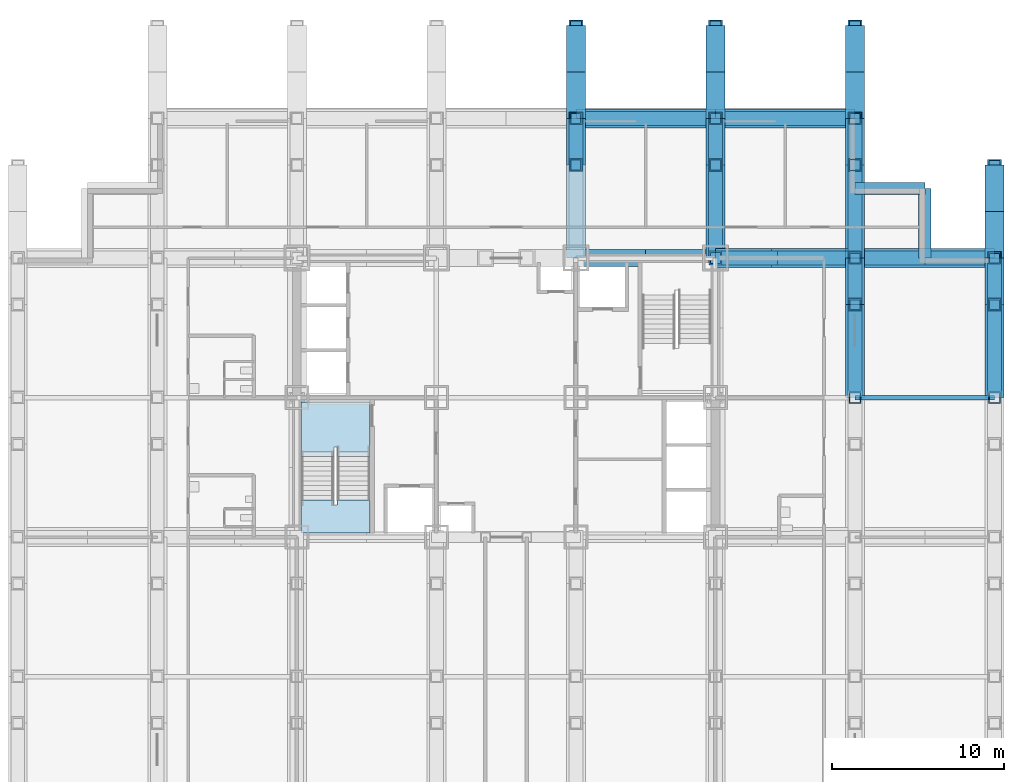
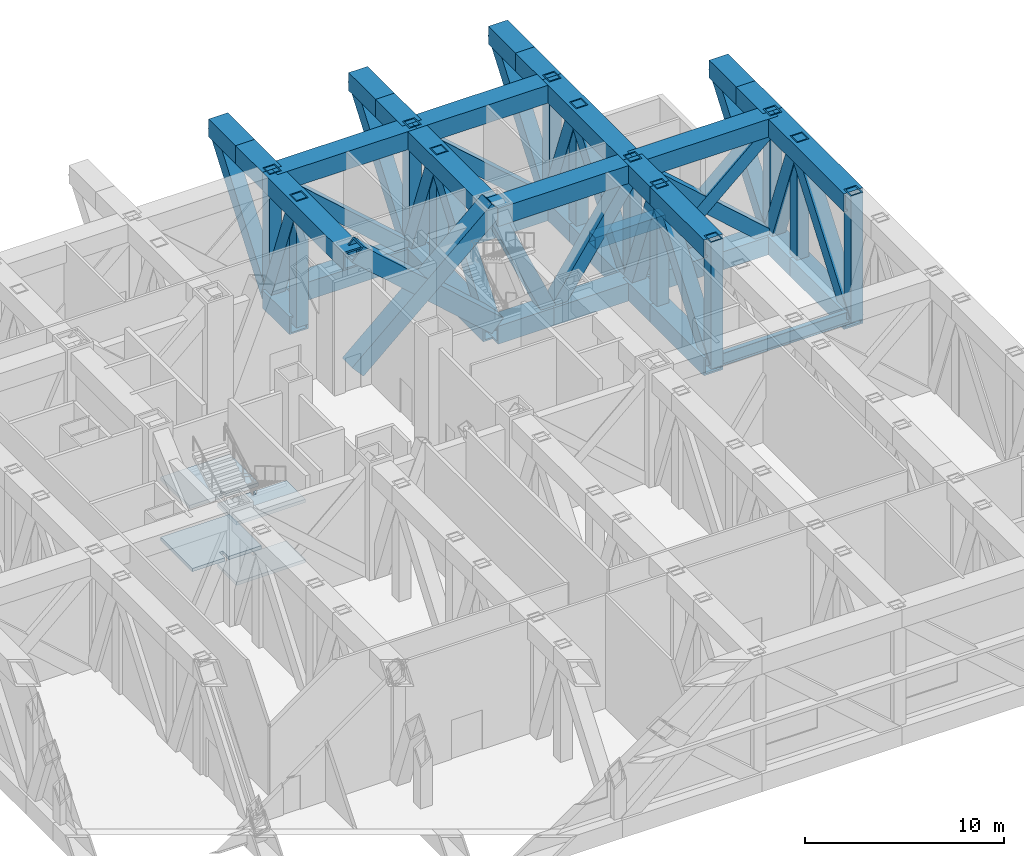
# One storey, part 6 of 13: 65 members, 4 slabs, 3 beams, 1 element without a shape of its own.
"""IFC4 building model written with IfcOpenShell, lengths in metres."""

from ifc_helpers import new_model, si_unit, direction, frame, origin, origin_2d, place, context, subcontext, project, spatial, polyline, hollow_rectangle, i_section, outline, extrude, material, layer, layer_set, material_profile, profile_set, type_object, element, aggregate, save


model = new_model("IFC4")

# Units and contexts
model_context = context("Model", 3, precision=1e-05, world=origin(), true_north=direction((0.0, 1.0)))
body_context = subcontext(model_context, "Body", "Model", "MODEL_VIEW")
ifc_project = project(units=[si_unit("LENGTHUNIT", "METRE"), si_unit("AREAUNIT", "SQUARE_METRE"), si_unit("VOLUMEUNIT", "CUBIC_METRE"), si_unit("PLANEANGLEUNIT", "RADIAN"), si_unit("MASSUNIT", "GRAM", prefix="KILO")], contexts=[model_context])

# Site, building, storey
site_placement = place(None, origin())
site = spatial("IfcSite", under=ifc_project, at=site_placement, CompositionType="ELEMENT")
building_placement = place(site_placement, origin())
building = spatial("IfcBuilding", under=site, at=building_placement, Name="Kopane Lantern Tower", CompositionType="ELEMENT")
storey_placement = place(building_placement, frame((0.0, 0.0, 90.800048828125)))
storey = spatial("IfcBuildingStorey", under=building, at=storey_placement, Name="L23", CompositionType="ELEMENT", Elevation=90.800048828125)

# Members
ifc_material_1 = material(Name="Steel S355JR", Category="steel")
ifc_material_profile_1 = material_profile(ifc_material_1, hollow_rectangle(XDim=1.0, YDim=1.0, WallThickness=0.10009765625, at=origin_2d()), Name="BOX 1000x1000x100")
ifc_profile_set_1 = profile_set([ifc_material_profile_1], Name="Steel S355JR")
member_type_1 = type_object("IfcMemberType", Name="BRACE BOX 1000x1000x100", PredefinedType="BRACE", material=ifc_profile_set_1)
for number, where, z_axis, x_axis, name in (
    (1, (32.39990234375, 40.5, -0.25), (0.747415533118, 0.0, 0.664356847525), (0.0, 1.0, 0.0), "Core brace L23"),
    (2, (40.5, 40.5, -0.25), (-0.747415533118, 0.0, 0.664356847525), (0.0, -1.0, 0.0), "Core brace L23"),
):
    element("IfcMember", number, at=place(storey_placement, frame(where, z_axis=z_axis, x_axis=x_axis)), inside=storey, type_object=member_type_1, Name=name, PredefinedType="BRACE", context=body_context, shape_type="SweptSolid", body=[
        extrude(hollow_rectangle(XDim=1.0, YDim=1.0, WallThickness=0.10009765625, at=origin_2d()), origin(), (0.0, 0.0, 1.0), 10.83740234375),
    ])

# Beams
ifc_material_2 = material(Name="Steel S355JR", Category="steel")
ifc_material_profile_2 = material_profile(ifc_material_2, hollow_rectangle(XDim=0.699951171875, YDim=0.699951171875, WallThickness=0.06005859375, at=origin_2d()), Name="BOX 700x700x60")
ifc_profile_set_2 = profile_set([ifc_material_profile_2], Name="Steel S355JR")
beam_type_1 = type_object("IfcBeamType", Name="EDGE BEAM BOX 700x700x60", PredefinedType="BEAM", material=ifc_profile_set_2)
beam_1_placement = place(storey_placement, frame((52.64990234375, 44.550048828125, -0.60009765625), z_axis=(-1.0, 0.0, 0.0), x_axis=(0.0, -1.0, 0.0)))
element("IfcBeam", 3, at=beam_1_placement, inside=storey, type_object=beam_type_1, Name="Edge Beam L23", PredefinedType="BEAM", context=body_context, shape_type="SweptSolid", body=[
    extrude(hollow_rectangle(XDim=0.699951171875, YDim=0.699951171875, WallThickness=0.06005859375, at=origin_2d()), origin(), (0.0, 0.0, 1.0), 4.0498046875),
])
beam_2_placement = place(storey_placement, frame((52.64990234375, 44.550048828125, -0.60009765625), z_axis=(0.0, -1.0, 0.0), x_axis=(1.0, 0.0, 0.0)))
element("IfcBeam", 4, at=beam_2_placement, inside=storey, type_object=beam_type_1, Name="Edge Beam L23", PredefinedType="BEAM", context=body_context, shape_type="SweptSolid", body=[
    extrude(hollow_rectangle(XDim=0.699951171875, YDim=0.699951171875, WallThickness=0.06005859375, at=origin_2d()), origin(), (0.0, 0.0, 1.0), 4.050048828125),
])
ifc_material_3 = material(Name="Steel S355JR", Category="steel")
ifc_material_profile_3 = material_profile(ifc_material_3, i_section(OverallWidth=0.2666015625, OverallDepth=0.76220703125, WebThickness=0.014404296875, FlangeThickness=0.021484375, FilletRadius=0.0166015625, at=origin_2d()), Name="UB 762x267x173")
ifc_profile_set_3 = profile_set([ifc_material_profile_3], Name="Steel S355JR")
beam_type_2 = type_object("IfcBeamType", Name="GIRDER UB 762x267x173", PredefinedType="BEAM", material=ifc_profile_set_3)
beam_3_placement = place(storey_placement, frame((48.60009765625, 32.39990234375, -0.631103515625), z_axis=(1.0, 0.0, 0.0), x_axis=(0.0, 1.0, 0.0)))
element("IfcBeam", 5, at=beam_3_placement, inside=storey, type_object=beam_type_2, Name="Girder L23", PredefinedType="BEAM", context=body_context, shape_type="SweptSolid", body=[
    extrude(i_section(OverallWidth=0.2666015625, OverallDepth=0.76220703125, WebThickness=0.014404296875, FlangeThickness=0.021484375, FilletRadius=0.0166015625, at=origin_2d()), origin(), (0.0, 0.0, 1.0), 8.099853515625),
])

# Members
ifc_material_4 = material(Name="Steel S355JR", Category="steel")
ifc_material_profile_4 = material_profile(ifc_material_4, hollow_rectangle(XDim=1.10009765625, YDim=1.10009765625, WallThickness=0.10009765625, at=origin_2d()), Name="BOX 1100x1100x100")
ifc_profile_set_4 = profile_set([ifc_material_profile_4], Name="Steel S355JR")
member_type_2 = type_object("IfcMemberType", Name="TRUSS CHORD BOX 1100x1100x100", PredefinedType="CHORD", material=ifc_profile_set_4)
member_1_placement = place(storey_placement, frame((32.39990234375, 45.89990234375, -0.800048828125), z_axis=(0.0, 1.0, 0.0), x_axis=(-1.0, 0.0, 0.0)))
element("IfcMember", 6, at=member_1_placement, inside=storey, type_object=member_type_2, Name="Transfer truss 6 L23 truss chord", PredefinedType="CHORD", context=body_context, shape_type="SweptSolid", body=[
    extrude(hollow_rectangle(XDim=1.10009765625, YDim=1.10009765625, WallThickness=0.10009765625, at=origin_2d()), origin(), (0.0, 0.0, 1.0), 2.7001953125),
])
member_2_placement = place(storey_placement, frame((32.39990234375, 40.5, 6.39990234375), z_axis=(0.0, 1.0, 0.0), x_axis=(-1.0, 0.0, 0.0)))
element("IfcMember", 7, at=member_2_placement, inside=storey, type_object=member_type_2, Name="Transfer truss 6 L23 truss chord", PredefinedType="CHORD", context=body_context, shape_type="SweptSolid", body=[
    extrude(hollow_rectangle(XDim=1.10009765625, YDim=1.10009765625, WallThickness=0.10009765625, at=origin_2d()), origin(), (0.0, 0.0, 1.0), 8.10009765625),
])
for number, where, z_axis, x_axis, name in (
    (8, (32.39990234375, 48.60009765625, 6.39990234375), (0.0, 1.0, 0.0), (-1.0, 0.0, 0.0), "Transfer truss 6 L23 truss chord"),
    (9, (32.39990234375, 51.300048828125, 6.39990234375), (0.0, 1.0, 0.0), (-1.0, 0.0, 0.0), "Transfer truss 6 L23 truss chord"),
):
    element("IfcMember", number, at=place(storey_placement, frame(where, z_axis=z_axis, x_axis=x_axis)), inside=storey, type_object=member_type_2, Name=name, PredefinedType="CHORD", context=body_context, shape_type="SweptSolid", body=[
        extrude(hollow_rectangle(XDim=1.10009765625, YDim=1.10009765625, WallThickness=0.10009765625, at=origin_2d()), origin(), (0.0, 0.0, 1.0), 2.699951171875),
    ])
member_3_placement = place(storey_placement, frame((40.5, 40.5, -0.800048828125), z_axis=(0.0, 1.0, 0.0), x_axis=(-1.0, 0.0, 0.0)))
element("IfcMember", 10, at=member_3_placement, inside=storey, type_object=member_type_2, Name="Transfer truss 7 L23 truss chord", PredefinedType="CHORD", context=body_context, shape_type="SweptSolid", body=[
    extrude(hollow_rectangle(XDim=1.10009765625, YDim=1.10009765625, WallThickness=0.10009765625, at=origin_2d()), origin(), (0.0, 0.0, 1.0), 5.39990234375),
])
member_4_placement = place(storey_placement, frame((40.5, 45.89990234375, -0.800048828125), z_axis=(0.0, 1.0, 0.0), x_axis=(-1.0, 0.0, 0.0)))
element("IfcMember", 11, at=member_4_placement, inside=storey, type_object=member_type_2, Name="Transfer truss 7 L23 truss chord", PredefinedType="CHORD", context=body_context, shape_type="SweptSolid", body=[
    extrude(hollow_rectangle(XDim=1.10009765625, YDim=1.10009765625, WallThickness=0.10009765625, at=origin_2d()), origin(), (0.0, 0.0, 1.0), 2.7001953125),
])
member_5_placement = place(storey_placement, frame((40.5, 40.5, 6.39990234375), z_axis=(0.0, 1.0, 0.0), x_axis=(-1.0, 0.0, 0.0)))
element("IfcMember", 12, at=member_5_placement, inside=storey, type_object=member_type_2, Name="Transfer truss 7 L23 truss chord", PredefinedType="CHORD", context=body_context, shape_type="SweptSolid", body=[
    extrude(hollow_rectangle(XDim=1.10009765625, YDim=1.10009765625, WallThickness=0.10009765625, at=origin_2d()), origin(), (0.0, 0.0, 1.0), 8.10009765625),
])
for number, where, z_axis, x_axis, name in (
    (13, (40.5, 48.60009765625, 6.39990234375), (0.0, 1.0, 0.0), (-1.0, 0.0, 0.0), "Transfer truss 7 L23 truss chord"),
    (14, (40.5, 51.300048828125, 6.39990234375), (0.0, 1.0, 0.0), (-1.0, 0.0, 0.0), "Transfer truss 7 L23 truss chord"),
):
    element("IfcMember", number, at=place(storey_placement, frame(where, z_axis=z_axis, x_axis=x_axis)), inside=storey, type_object=member_type_2, Name=name, PredefinedType="CHORD", context=body_context, shape_type="SweptSolid", body=[
        extrude(hollow_rectangle(XDim=1.10009765625, YDim=1.10009765625, WallThickness=0.10009765625, at=origin_2d()), origin(), (0.0, 0.0, 1.0), 2.699951171875),
    ])
member_6_placement = place(storey_placement, frame((48.60009765625, 32.39990234375, -0.800048828125), z_axis=(0.0, 1.0, 0.0), x_axis=(-1.0, 0.0, 0.0)))
element("IfcMember", 15, at=member_6_placement, inside=storey, type_object=member_type_2, Name="Transfer truss 8 L23 truss chord", PredefinedType="CHORD", context=body_context, shape_type="SweptSolid", body=[
    extrude(hollow_rectangle(XDim=1.10009765625, YDim=1.10009765625, WallThickness=0.10009765625, at=origin_2d()), origin(), (0.0, 0.0, 1.0), 5.400146484375),
])
member_7_placement = place(storey_placement, frame((48.60009765625, 37.800048828125, -0.800048828125), z_axis=(0.0, 1.0, 0.0), x_axis=(-1.0, 0.0, 0.0)))
element("IfcMember", 16, at=member_7_placement, inside=storey, type_object=member_type_2, Name="Transfer truss 8 L23 truss chord", PredefinedType="CHORD", context=body_context, shape_type="SweptSolid", body=[
    extrude(hollow_rectangle(XDim=1.10009765625, YDim=1.10009765625, WallThickness=0.10009765625, at=origin_2d()), origin(), (0.0, 0.0, 1.0), 2.699951171875),
])
member_8_placement = place(storey_placement, frame((48.60009765625, 40.5, -0.800048828125), z_axis=(0.0, 1.0, 0.0), x_axis=(-1.0, 0.0, 0.0)))
element("IfcMember", 17, at=member_8_placement, inside=storey, type_object=member_type_2, Name="Transfer truss 8 L23 truss chord", PredefinedType="CHORD", context=body_context, shape_type="SweptSolid", body=[
    extrude(hollow_rectangle(XDim=1.10009765625, YDim=1.10009765625, WallThickness=0.10009765625, at=origin_2d()), origin(), (0.0, 0.0, 1.0), 5.39990234375),
])
member_9_placement = place(storey_placement, frame((48.60009765625, 45.89990234375, -0.800048828125), z_axis=(0.0, 1.0, 0.0), x_axis=(-1.0, 0.0, 0.0)))
element("IfcMember", 18, at=member_9_placement, inside=storey, type_object=member_type_2, Name="Transfer truss 8 L23 truss chord", PredefinedType="CHORD", context=body_context, shape_type="SweptSolid", body=[
    extrude(hollow_rectangle(XDim=1.10009765625, YDim=1.10009765625, WallThickness=0.10009765625, at=origin_2d()), origin(), (0.0, 0.0, 1.0), 2.7001953125),
])
member_10_placement = place(storey_placement, frame((48.60009765625, 32.39990234375, 6.39990234375), z_axis=(0.0, 1.0, 0.0), x_axis=(-1.0, 0.0, 0.0)))
element("IfcMember", 19, at=member_10_placement, inside=storey, type_object=member_type_2, Name="Transfer truss 8 L23 truss chord", PredefinedType="CHORD", context=body_context, shape_type="SweptSolid", body=[
    extrude(hollow_rectangle(XDim=1.10009765625, YDim=1.10009765625, WallThickness=0.10009765625, at=origin_2d()), origin(), (0.0, 0.0, 1.0), 5.400146484375),
])
member_11_placement = place(storey_placement, frame((48.60009765625, 37.800048828125, 6.39990234375), z_axis=(0.0, 1.0, 0.0), x_axis=(-1.0, 0.0, 0.0)))
element("IfcMember", 20, at=member_11_placement, inside=storey, type_object=member_type_2, Name="Transfer truss 8 L23 truss chord", PredefinedType="CHORD", context=body_context, shape_type="SweptSolid", body=[
    extrude(hollow_rectangle(XDim=1.10009765625, YDim=1.10009765625, WallThickness=0.10009765625, at=origin_2d()), origin(), (0.0, 0.0, 1.0), 2.699951171875),
])
member_12_placement = place(storey_placement, frame((48.60009765625, 40.5, 6.39990234375), z_axis=(0.0, 1.0, 0.0), x_axis=(-1.0, 0.0, 0.0)))
element("IfcMember", 21, at=member_12_placement, inside=storey, type_object=member_type_2, Name="Transfer truss 8 L23 truss chord", PredefinedType="CHORD", context=body_context, shape_type="SweptSolid", body=[
    extrude(hollow_rectangle(XDim=1.10009765625, YDim=1.10009765625, WallThickness=0.10009765625, at=origin_2d()), origin(), (0.0, 0.0, 1.0), 8.10009765625),
])
for number, where, z_axis, x_axis, name in (
    (22, (48.60009765625, 48.60009765625, 6.39990234375), (0.0, 1.0, 0.0), (-1.0, 0.0, 0.0), "Transfer truss 8 L23 truss chord"),
    (23, (48.60009765625, 51.300048828125, 6.39990234375), (0.0, 1.0, 0.0), (-1.0, 0.0, 0.0), "Transfer truss 8 L23 truss chord"),
):
    element("IfcMember", number, at=place(storey_placement, frame(where, z_axis=z_axis, x_axis=x_axis)), inside=storey, type_object=member_type_2, Name=name, PredefinedType="CHORD", context=body_context, shape_type="SweptSolid", body=[
        extrude(hollow_rectangle(XDim=1.10009765625, YDim=1.10009765625, WallThickness=0.10009765625, at=origin_2d()), origin(), (0.0, 0.0, 1.0), 2.699951171875),
    ])
member_13_placement = place(storey_placement, frame((56.699951171875, 32.39990234375, -0.800048828125), z_axis=(0.0, 1.0, 0.0), x_axis=(-1.0, 0.0, 0.0)))
element("IfcMember", 24, at=member_13_placement, inside=storey, type_object=member_type_2, Name="Transfer truss 9 L23 truss chord", PredefinedType="CHORD", context=body_context, shape_type="SweptSolid", body=[
    extrude(hollow_rectangle(XDim=1.10009765625, YDim=1.10009765625, WallThickness=0.10009765625, at=origin_2d()), origin(), (0.0, 0.0, 1.0), 5.400146484375),
])
member_14_placement = place(storey_placement, frame((56.699951171875, 37.800048828125, -0.800048828125), z_axis=(0.0, 1.0, 0.0), x_axis=(-1.0, 0.0, 0.0)))
element("IfcMember", 25, at=member_14_placement, inside=storey, type_object=member_type_2, Name="Transfer truss 9 L23 truss chord", PredefinedType="CHORD", context=body_context, shape_type="SweptSolid", body=[
    extrude(hollow_rectangle(XDim=1.10009765625, YDim=1.10009765625, WallThickness=0.10009765625, at=origin_2d()), origin(), (0.0, 0.0, 1.0), 2.699951171875),
])
member_15_placement = place(storey_placement, frame((56.699951171875, 32.39990234375, 6.39990234375), z_axis=(0.0, 1.0, 0.0), x_axis=(-1.0, 0.0, 0.0)))
element("IfcMember", 26, at=member_15_placement, inside=storey, type_object=member_type_2, Name="Transfer truss 9 L23 truss chord", PredefinedType="CHORD", context=body_context, shape_type="SweptSolid", body=[
    extrude(hollow_rectangle(XDim=1.10009765625, YDim=1.10009765625, WallThickness=0.10009765625, at=origin_2d()), origin(), (0.0, 0.0, 1.0), 8.10009765625),
])
for number, where, z_axis, x_axis, name in (
    (27, (56.699951171875, 40.5, 6.39990234375), (0.0, 1.0, 0.0), (-1.0, 0.0, 0.0), "Transfer truss 9 L23 truss chord"),
    (28, (56.699951171875, 43.199951171875, 6.39990234375), (0.0, 1.0, 0.0), (-1.0, 0.0, 0.0), "Transfer truss 9 L23 truss chord"),
):
    element("IfcMember", number, at=place(storey_placement, frame(where, z_axis=z_axis, x_axis=x_axis)), inside=storey, type_object=member_type_2, Name=name, PredefinedType="CHORD", context=body_context, shape_type="SweptSolid", body=[
        extrude(hollow_rectangle(XDim=1.10009765625, YDim=1.10009765625, WallThickness=0.10009765625, at=origin_2d()), origin(), (0.0, 0.0, 1.0), 2.699951171875),
    ])
for number, where, z_axis, x_axis, name in (
    (29, (32.39990234375, 48.60009765625, -0.800048828125), (1.0, 0.0, 0.0), (0.0, 1.0, 0.0), "Belt truss N L23 truss chord"),
    (30, (32.39990234375, 48.60009765625, 6.39990234375), (1.0, 0.0, 0.0), (0.0, 1.0, 0.0), "Belt truss N L23 truss chord"),
    (31, (40.5, 48.60009765625, -0.800048828125), (1.0, 0.0, 0.0), (0.0, 1.0, 0.0), "Belt truss N L23 truss chord"),
    (32, (40.5, 48.60009765625, 6.39990234375), (1.0, 0.0, 0.0), (0.0, 1.0, 0.0), "Belt truss N L23 truss chord"),
):
    element("IfcMember", number, at=place(storey_placement, frame(where, z_axis=z_axis, x_axis=x_axis)), inside=storey, type_object=member_type_2, Name=name, PredefinedType="CHORD", context=body_context, shape_type="SweptSolid", body=[
        extrude(hollow_rectangle(XDim=1.10009765625, YDim=1.10009765625, WallThickness=0.10009765625, at=origin_2d()), origin(), (0.0, 0.0, 1.0), 8.10009765625),
    ])
for number, where, z_axis, x_axis, name in (
    (33, (56.699951171875, 40.5, -0.800048828125), (-1.0, 0.0, 0.0), (0.0, -1.0, 0.0), "Outrigger truss E40.5 L23 truss chord"),
    (34, (56.699951171875, 40.5, 6.39990234375), (-1.0, 0.0, 0.0), (0.0, -1.0, 0.0), "Outrigger truss E40.5 L23 truss chord"),
):
    element("IfcMember", number, at=place(storey_placement, frame(where, z_axis=z_axis, x_axis=x_axis)), inside=storey, type_object=member_type_2, Name=name, PredefinedType="CHORD", context=body_context, shape_type="SweptSolid", body=[
        extrude(hollow_rectangle(XDim=1.10009765625, YDim=1.10009765625, WallThickness=0.10009765625, at=origin_2d()), origin(), (0.0, 0.0, 1.0), 8.099853515625),
    ])
member_16_placement = place(storey_placement, frame((48.60009765625, 40.5, -0.800048828125), z_axis=(-1.0, 0.0, 0.0), x_axis=(0.0, -1.0, 0.0)))
element("IfcMember", 35, at=member_16_placement, inside=storey, type_object=member_type_2, Name="Outrigger truss E40.5 L23 truss chord", PredefinedType="CHORD", context=body_context, shape_type="SweptSolid", body=[
    extrude(hollow_rectangle(XDim=1.10009765625, YDim=1.10009765625, WallThickness=0.10009765625, at=origin_2d()), origin(), (0.0, 0.0, 1.0), 4.860107421875),
])
member_17_placement = place(storey_placement, frame((43.739990234375, 40.5, -0.800048828125), z_axis=(-1.0, 0.0, 0.0), x_axis=(0.0, -1.0, 0.0)))
element("IfcMember", 36, at=member_17_placement, inside=storey, type_object=member_type_2, Name="Outrigger truss E40.5 L23 truss chord", PredefinedType="CHORD", context=body_context, shape_type="SweptSolid", body=[
    extrude(hollow_rectangle(XDim=1.10009765625, YDim=1.10009765625, WallThickness=0.10009765625, at=origin_2d()), origin(), (0.0, 0.0, 1.0), 3.239990234375),
])
member_18_placement = place(storey_placement, frame((48.60009765625, 40.5, 6.39990234375), z_axis=(-1.0, 0.0, 0.0), x_axis=(0.0, -1.0, 0.0)))
element("IfcMember", 37, at=member_18_placement, inside=storey, type_object=member_type_2, Name="Outrigger truss E40.5 L23 truss chord", PredefinedType="CHORD", context=body_context, shape_type="SweptSolid", body=[
    extrude(hollow_rectangle(XDim=1.10009765625, YDim=1.10009765625, WallThickness=0.10009765625, at=origin_2d()), origin(), (0.0, 0.0, 1.0), 8.10009765625),
])
ifc_material_5 = material(Name="Steel S355JR", Category="steel")
ifc_material_profile_5 = material_profile(ifc_material_5, hollow_rectangle(XDim=0.800048828125, YDim=0.800048828125, WallThickness=0.080078125, at=origin_2d()), Name="BOX 800x800x80")
ifc_profile_set_5 = profile_set([ifc_material_profile_5], Name="Steel S355JR")
member_type_3 = type_object("IfcMemberType", Name="TRUSS DIAGONAL BOX 800x800x80", PredefinedType="BRACE", material=ifc_profile_set_5)
member_19_placement = place(storey_placement, frame((32.39990234375, 48.60009765625, -0.800048828125), z_axis=(0.0, -0.351147797134, 0.936320043878), x_axis=(1.0, 0.0, 0.0)))
element("IfcMember", 38, at=member_19_placement, inside=storey, type_object=member_type_3, Name="Transfer truss 6 L23 truss diagonal", PredefinedType="BRACE", context=body_context, shape_type="SweptSolid", body=[
    extrude(hollow_rectangle(XDim=0.800048828125, YDim=0.800048828125, WallThickness=0.080078125, at=origin_2d()), origin(), (0.0, 0.0, 1.0), 7.689697265625),
])
for number, where, z_axis, x_axis, name in (
    (39, (32.39990234375, 48.60009765625, -0.800048828125), (0.0, 0.599995659666, 0.800003255232), (-1.0, 0.0, 0.0), "Transfer truss 6 L23 truss diagonal"),
    (40, (40.5, 40.5, -0.800048828125), (0.0, 0.599995659666, 0.800003255232), (-1.0, 0.0, 0.0), "Transfer truss 7 L23 truss diagonal"),
):
    element("IfcMember", number, at=place(storey_placement, frame(where, z_axis=z_axis, x_axis=x_axis)), inside=storey, type_object=member_type_3, Name=name, PredefinedType="BRACE", context=body_context, shape_type="SweptSolid", body=[
        extrude(hollow_rectangle(XDim=0.800048828125, YDim=0.800048828125, WallThickness=0.080078125, at=origin_2d()), origin(), (0.0, 0.0, 1.0), 9.0),
    ])
member_20_placement = place(storey_placement, frame((40.5, 48.60009765625, -0.800048828125), z_axis=(0.0, -0.351147797134, 0.936320043878), x_axis=(1.0, 0.0, 0.0)))
element("IfcMember", 41, at=member_20_placement, inside=storey, type_object=member_type_3, Name="Transfer truss 7 L23 truss diagonal", PredefinedType="BRACE", context=body_context, shape_type="SweptSolid", body=[
    extrude(hollow_rectangle(XDim=0.800048828125, YDim=0.800048828125, WallThickness=0.080078125, at=origin_2d()), origin(), (0.0, 0.0, 1.0), 7.689697265625),
])
for number, where, z_axis, x_axis, name in (
    (42, (40.5, 48.60009765625, -0.800048828125), (0.0, 0.599995659666, 0.800003255232), (-1.0, 0.0, 0.0), "Transfer truss 7 L23 truss diagonal"),
    (43, (48.60009765625, 32.39990234375, -0.800048828125), (0.0, 0.600013020683, 0.799990234322), (-1.0, 0.0, 0.0), "Transfer truss 8 L23 truss diagonal"),
):
    element("IfcMember", number, at=place(storey_placement, frame(where, z_axis=z_axis, x_axis=x_axis)), inside=storey, type_object=member_type_3, Name=name, PredefinedType="BRACE", context=body_context, shape_type="SweptSolid", body=[
        extrude(hollow_rectangle(XDim=0.800048828125, YDim=0.800048828125, WallThickness=0.080078125, at=origin_2d()), origin(), (0.0, 0.0, 1.0), 9.0),
    ])
member_21_placement = place(storey_placement, frame((48.60009765625, 40.5, -0.800048828125), z_axis=(0.0, -0.351119962166, 0.936330482345), x_axis=(1.0, 0.0, 0.0)))
element("IfcMember", 44, at=member_21_placement, inside=storey, type_object=member_type_3, Name="Transfer truss 8 L23 truss diagonal", PredefinedType="BRACE", context=body_context, shape_type="SweptSolid", body=[
    extrude(hollow_rectangle(XDim=0.800048828125, YDim=0.800048828125, WallThickness=0.080078125, at=origin_2d()), origin(), (0.0, 0.0, 1.0), 7.689453125),
])
member_22_placement = place(storey_placement, frame((48.60009765625, 40.5, -0.800048828125), z_axis=(0.0, 0.599995659666, 0.800003255232), x_axis=(-1.0, 0.0, 0.0)))
element("IfcMember", 45, at=member_22_placement, inside=storey, type_object=member_type_3, Name="Transfer truss 8 L23 truss diagonal", PredefinedType="BRACE", context=body_context, shape_type="SweptSolid", body=[
    extrude(hollow_rectangle(XDim=0.800048828125, YDim=0.800048828125, WallThickness=0.080078125, at=origin_2d()), origin(), (0.0, 0.0, 1.0), 9.0),
])
member_23_placement = place(storey_placement, frame((48.60009765625, 48.60009765625, -0.800048828125), z_axis=(0.0, -0.351147797134, 0.936320043878), x_axis=(1.0, 0.0, 0.0)))
element("IfcMember", 46, at=member_23_placement, inside=storey, type_object=member_type_3, Name="Transfer truss 8 L23 truss diagonal", PredefinedType="BRACE", context=body_context, shape_type="SweptSolid", body=[
    extrude(hollow_rectangle(XDim=0.800048828125, YDim=0.800048828125, WallThickness=0.080078125, at=origin_2d()), origin(), (0.0, 0.0, 1.0), 7.689697265625),
])
for number, where, z_axis, x_axis, name in (
    (47, (48.60009765625, 48.60009765625, -0.800048828125), (0.0, 0.599995659666, 0.800003255232), (-1.0, 0.0, 0.0), "Transfer truss 8 L23 truss diagonal"),
    (48, (56.699951171875, 32.39990234375, -0.800048828125), (0.0, 0.600013020683, 0.799990234322), (-1.0, 0.0, 0.0), "Transfer truss 9 L23 truss diagonal"),
):
    element("IfcMember", number, at=place(storey_placement, frame(where, z_axis=z_axis, x_axis=x_axis)), inside=storey, type_object=member_type_3, Name=name, PredefinedType="BRACE", context=body_context, shape_type="SweptSolid", body=[
        extrude(hollow_rectangle(XDim=0.800048828125, YDim=0.800048828125, WallThickness=0.080078125, at=origin_2d()), origin(), (0.0, 0.0, 1.0), 9.0),
    ])
member_24_placement = place(storey_placement, frame((56.699951171875, 40.5, -0.800048828125), z_axis=(0.0, -0.351119962166, 0.936330482345), x_axis=(1.0, 0.0, 0.0)))
element("IfcMember", 49, at=member_24_placement, inside=storey, type_object=member_type_3, Name="Transfer truss 9 L23 truss diagonal", PredefinedType="BRACE", context=body_context, shape_type="SweptSolid", body=[
    extrude(hollow_rectangle(XDim=0.800048828125, YDim=0.800048828125, WallThickness=0.080078125, at=origin_2d()), origin(), (0.0, 0.0, 1.0), 7.689453125),
])
member_25_placement = place(storey_placement, frame((56.699951171875, 40.5, -0.800048828125), z_axis=(0.0, 0.599995659666, 0.800003255232), x_axis=(-1.0, 0.0, 0.0)))
element("IfcMember", 50, at=member_25_placement, inside=storey, type_object=member_type_3, Name="Transfer truss 9 L23 truss diagonal", PredefinedType="BRACE", context=body_context, shape_type="SweptSolid", body=[
    extrude(hollow_rectangle(XDim=0.800048828125, YDim=0.800048828125, WallThickness=0.080078125, at=origin_2d()), origin(), (0.0, 0.0, 1.0), 9.0),
])
for number, where, z_axis, x_axis, name in (
    (51, (40.5, 48.60009765625, -0.800048828125), (-0.747415533118, 0.0, 0.664356847525), (0.0, -1.0, 0.0), "Belt truss N L23 truss diagonal"),
    (52, (48.60009765625, 48.60009765625, -0.800048828125), (-0.747415533118, 0.0, 0.664356847525), (0.0, -1.0, 0.0), "Belt truss N L23 truss diagonal"),
    (53, (56.699951171875, 40.5, -0.800048828125), (-0.747405589929, 0.0, 0.664368033655), (0.0, -1.0, 0.0), "Outrigger truss E40.5 L23 truss diagonal"),
    (54, (48.60009765625, 40.5, -0.800048828125), (0.747405589929, 0.0, 0.664368033655), (0.0, 1.0, 0.0), "Outrigger truss E40.5 L23 truss diagonal"),
):
    element("IfcMember", number, at=place(storey_placement, frame(where, z_axis=z_axis, x_axis=x_axis)), inside=storey, type_object=member_type_3, Name=name, PredefinedType="BRACE", context=body_context, shape_type="SweptSolid", body=[
        extrude(hollow_rectangle(XDim=0.800048828125, YDim=0.800048828125, WallThickness=0.080078125, at=origin_2d()), origin(), (0.0, 0.0, 1.0), 10.83740234375),
    ])
member_26_placement = place(storey_placement, frame((48.60009765625, 40.5, 6.39990234375), z_axis=(-0.559483956924, 0.0, -0.82884118017), x_axis=(0.0, -1.0, 0.0)))
element("IfcMember", 55, at=member_26_placement, inside=storey, type_object=member_type_3, Name="Outrigger truss E40.5 L23 truss diagonal", PredefinedType="BRACE", context=body_context, shape_type="SweptSolid", body=[
    extrude(hollow_rectangle(XDim=0.800048828125, YDim=0.800048828125, WallThickness=0.080078125, at=origin_2d()), origin(), (0.0, 0.0, 1.0), 8.686767578125),
])
member_27_placement = place(storey_placement, frame((40.5, 40.5, 6.39990234375), z_axis=(0.410365963067, 0.0, -0.911920926592), x_axis=(0.0, 1.0, 0.0)))
element("IfcMember", 56, at=member_27_placement, inside=storey, type_object=member_type_3, Name="Outrigger truss E40.5 L23 truss diagonal", PredefinedType="BRACE", context=body_context, shape_type="SweptSolid", body=[
    extrude(hollow_rectangle(XDim=0.800048828125, YDim=0.800048828125, WallThickness=0.080078125, at=origin_2d()), origin(), (0.0, 0.0, 1.0), 7.895263671875),
])
ifc_material_6 = material(Name="Steel S355JR", Category="steel")
ifc_material_profile_6 = material_profile(ifc_material_6, hollow_rectangle(XDim=0.699951171875, YDim=0.699951171875, WallThickness=0.070068359375, at=origin_2d()), Name="BOX 700x700x70")
ifc_profile_set_6 = profile_set([ifc_material_profile_6], Name="Steel S355JR")
member_type_4 = type_object("IfcMemberType", Name="TRUSS POST BOX 700x700x70", PredefinedType="POST", material=ifc_profile_set_6)
for number, where, z_axis, x_axis, name in (
    (57, (32.39990234375, 45.89990234375, -0.800048828125), (0.0, 0.0, 1.0), (1.0, 0.0, 0.0), "Transfer truss 6 L23 truss post"),
    (58, (32.39990234375, 48.60009765625, -0.800048828125), (0.0, 0.0, 1.0), (1.0, 0.0, 0.0), "Transfer truss 6 L23 truss post"),
    (59, (40.5, 45.89990234375, -0.800048828125), (0.0, 0.0, 1.0), (1.0, 0.0, 0.0), "Transfer truss 7 L23 truss post"),
    (60, (40.5, 48.60009765625, -0.800048828125), (0.0, 0.0, 1.0), (1.0, 0.0, 0.0), "Transfer truss 7 L23 truss post"),
    (61, (48.60009765625, 32.39990234375, -0.800048828125), (0.0, 0.0, 1.0), (1.0, 0.0, 0.0), "Transfer truss 8 L23 truss post"),
    (62, (48.60009765625, 37.800048828125, -0.800048828125), (0.0, 0.0, 1.0), (1.0, 0.0, 0.0), "Transfer truss 8 L23 truss post"),
    (63, (48.60009765625, 40.5, -0.800048828125), (0.0, 0.0, 1.0), (1.0, 0.0, 0.0), "Transfer truss 8 L23 truss post"),
    (64, (48.60009765625, 45.89990234375, -0.800048828125), (0.0, 0.0, 1.0), (1.0, 0.0, 0.0), "Transfer truss 8 L23 truss post"),
    (65, (48.60009765625, 48.60009765625, -0.800048828125), (0.0, 0.0, 1.0), (1.0, 0.0, 0.0), "Transfer truss 8 L23 truss post"),
    (66, (56.699951171875, 32.39990234375, -0.800048828125), (0.0, 0.0, 1.0), (1.0, 0.0, 0.0), "Transfer truss 9 L23 truss post"),
    (67, (56.699951171875, 37.800048828125, -0.800048828125), (0.0, 0.0, 1.0), (1.0, 0.0, 0.0), "Transfer truss 9 L23 truss post"),
    (68, (56.699951171875, 40.5, -0.800048828125), (0.0, 0.0, 1.0), (1.0, 0.0, 0.0), "Transfer truss 9 L23 truss post"),
):
    element("IfcMember", number, at=place(storey_placement, frame(where, z_axis=z_axis, x_axis=x_axis)), inside=storey, type_object=member_type_4, Name=name, PredefinedType="POST", context=body_context, shape_type="SweptSolid", body=[
        extrude(hollow_rectangle(XDim=0.699951171875, YDim=0.699951171875, WallThickness=0.070068359375, at=origin_2d()), origin(), (0.0, 0.0, 1.0), 7.75),
    ])

# Stair, slabs
ifc_material_7 = material(Name="Steel S355JR", Category="steel")
stair_type = type_object("IfcStairType", Name="EXIT STAIR 1900 HALF TURN", PredefinedType="HALF_TURN_STAIR", material=ifc_material_7)
stair_placement = place(storey_placement, origin())
stair = element("IfcStair", 69, at=stair_placement, inside=storey, type_object=stair_type, Name="Exit stair ST1 L23", PredefinedType="HALF_TURN_STAIR")
ifc_material_8 = material(Name="Concrete C40/50", Category="concrete")
ifc_layer = layer(ifc_material_8, 0.199951171875)
ifc_layer_set = layer_set([ifc_layer], Name="STAIR LANDING 200")
slab_type = type_object("IfcSlabType", Name="STAIR LANDING 200", PredefinedType="LANDING", material=ifc_layer_set)
slab_1_placement = place(storey_placement, frame((0.0, 0.0, -0.199951171875)))
slab_1 = element("IfcSlab", 70, at=slab_1_placement, type_object=slab_type, Name="ST1 landing 1", PredefinedType="LANDING", context=body_context, shape_type="SweptSolid", body=[
    extrude(outline(polyline([(18.35009765625, 29.530029296875), (18.550048828125, 29.530029296875), (18.550048828125, 28.969970703125), (20.449951171875, 28.969970703125), (20.449951171875, 32.14990234375), (16.449951171875, 32.14990234375), (16.449951171875, 28.969970703125), (18.35009765625, 28.969970703125), (18.35009765625, 29.530029296875)])), origin(), (0.0, 0.0, 1.0), 0.199951171875),
])
slab_2_placement = place(storey_placement, frame((0.0, 0.0, 1.641845703125)))
slab_2 = element("IfcSlab", 71, at=slab_2_placement, type_object=slab_type, Name="ST1 landing 2", PredefinedType="LANDING", context=body_context, shape_type="SweptSolid", body=[
    extrude(outline(polyline([(20.449951171875, 26.449951171875), (18.550048828125, 26.449951171875), (18.550048828125, 26.169921875), (18.35009765625, 26.169921875), (18.35009765625, 26.449951171875), (16.449951171875, 26.449951171875), (16.449951171875, 24.550048828125), (20.449951171875, 24.550048828125), (20.449951171875, 26.449951171875)])), origin(), (0.0, 0.0, 1.0), 0.199951171875),
])
slab_3_placement = place(storey_placement, frame((0.0, 0.0, 3.483642578125)))
slab_3 = element("IfcSlab", 72, at=slab_3_placement, type_object=slab_type, Name="ST1 landing 3", PredefinedType="LANDING", context=body_context, shape_type="SweptSolid", body=[
    extrude(outline(polyline([(18.35009765625, 29.530029296875), (18.550048828125, 29.530029296875), (18.550048828125, 29.25), (20.449951171875, 29.25), (20.449951171875, 32.14990234375), (16.449951171875, 32.14990234375), (16.449951171875, 29.25), (18.35009765625, 29.25), (18.35009765625, 29.530029296875)])), origin(), (0.0, 0.0, 1.0), 0.199951171875),
])
slab_4_placement = place(storey_placement, frame((0.0, 0.0, 5.325439453125)))
slab_4 = element("IfcSlab", 73, at=slab_4_placement, type_object=slab_type, Name="ST1 landing 4", PredefinedType="LANDING", context=body_context, shape_type="SweptSolid", body=[
    extrude(outline(polyline([(20.449951171875, 26.449951171875), (18.550048828125, 26.449951171875), (18.550048828125, 26.169921875), (18.35009765625, 26.169921875), (18.35009765625, 26.449951171875), (16.449951171875, 26.449951171875), (16.449951171875, 24.550048828125), (20.449951171875, 24.550048828125), (20.449951171875, 26.449951171875)])), origin(), (0.0, 0.0, 1.0), 0.2001953125),
])
aggregate(stair, [slab_1, slab_2, slab_3, slab_4])

save(model, "model.ifc")
